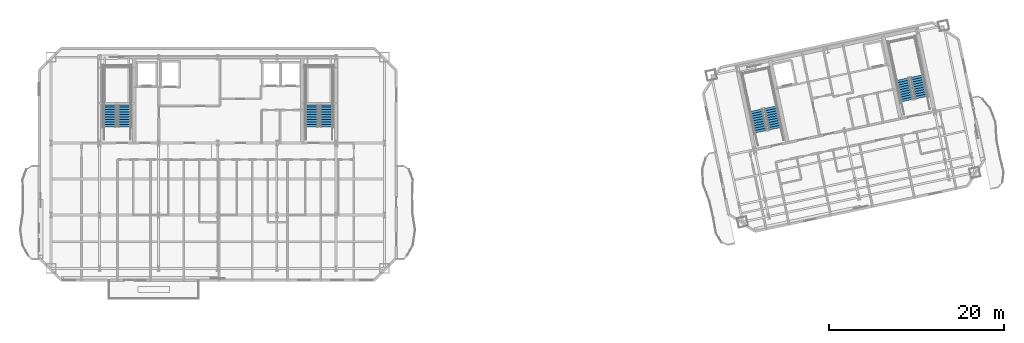
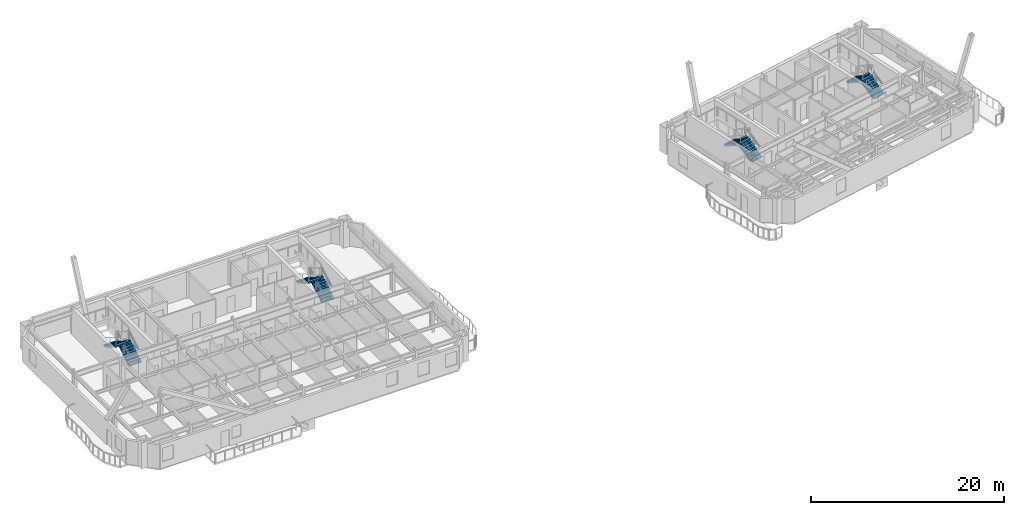
# One storey, part 10 of 14: 8 stair flights, 4 elements without a shape of their own.
"""IFC4 building model written with IfcOpenShell, lengths in metres."""

from ifc_helpers import new_model, si_unit, direction, frame, origin, place, context, subcontext, project, spatial, polyline, outline, extrude, material, type_object, element, aggregate, save


model = new_model("IFC4")

# Units and contexts
model_context = context("Model", 3, precision=1e-05, world=origin(), true_north=direction((0.0, 1.0)))
body_context = subcontext(model_context, "Body", "Model", "MODEL_VIEW")
ifc_project = project(units=[si_unit("LENGTHUNIT", "METRE"), si_unit("AREAUNIT", "SQUARE_METRE"), si_unit("VOLUMEUNIT", "CUBIC_METRE"), si_unit("PLANEANGLEUNIT", "RADIAN"), si_unit("MASSUNIT", "GRAM", prefix="KILO")], contexts=[model_context])

# Site, building, storey
site_placement = place(None, origin())
site = spatial("IfcSite", under=ifc_project, at=site_placement, CompositionType="ELEMENT")
building_placement = place(site_placement, origin())
building = spatial("IfcBuilding", under=site, at=building_placement, Name="Haevon Station Towers", CompositionType="ELEMENT")
storey_placement = place(building_placement, frame((0.0, 0.0, 208.800048828125)))
storey = spatial("IfcBuildingStorey", under=building, at=storey_placement, Name="L57", CompositionType="ELEMENT", Elevation=208.800048828125)

# Stair, stair flights
ifc_material = material(Name="Concrete C40/50", Category="concrete")
stair_type = type_object("IfcStairType", Name="STR-DL1450", PredefinedType="USERDEFINED", material=ifc_material)
stair_1_placement = place(storey_placement, origin())
stair_1 = element("IfcStair", 1, at=stair_1_placement, inside=storey, type_object=stair_type, Name="L57 Escape Stair ST1", ObjectType="TWO_RETURN_STAIR", PredefinedType="USERDEFINED")
stair_flight_type = type_object("IfcStairFlightType", Name="STF-ST1450", PredefinedType="STRAIGHT", material=ifc_material)
stair_flight_1_placement = place(storey_placement, frame((26.85498046875, 40.050048828125, 0.0), z_axis=(0.0, 0.0, 1.0), x_axis=(0.0, 1.0, 0.0)))
stair_flight_1 = element("IfcStairFlight", 2, at=stair_flight_1_placement, type_object=stair_flight_type, Name="L57 ST1 Flight 1", NumberOfRisers=10, NumberOfTreads=9, PredefinedType="STRAIGHT", RiserHeight=0.165, TreadLength=0.28, context=body_context, shape_type="SweptSolid", body=[
    extrude(outline(polyline([(0.0, 0.0), (0.0, 0.1650390625), (0.280029296875, 0.1650390625), (0.280029296875, 0.330078125), (0.56005859375, 0.330078125), (0.56005859375, 0.4951171875), (0.840087890625, 0.4951171875), (0.840087890625, 0.659912109375), (1.1201171875, 0.659912109375), (1.1201171875, 0.824951171875), (1.39990234375, 0.824951171875), (1.39990234375, 0.989990234375), (1.679931640625, 0.989990234375), (1.679931640625, 1.155029296875), (1.9599609375, 1.155029296875), (1.9599609375, 1.320068359375), (2.239990234375, 1.320068359375), (2.239990234375, 1.485107421875), (2.52001953125, 1.485107421875), (2.52001953125, 1.64990234375), (2.52001953125, 1.29931640625), (0.31494140625, 0.0), (0.0, 0.0)])), frame((0.0, 0.72509765625, 0.0), z_axis=(0.0, -1.0, 0.0), x_axis=(1.0, 0.0, 0.0)), (0.0, 0.0, 1.0), 1.449951171875),
])
stair_flight_2_placement = place(storey_placement, frame((25.205078125, 42.570068359375, 1.64990234375), z_axis=(0.0, 0.0, 1.0), x_axis=(0.0, -1.0, 0.0)))
stair_flight_2 = element("IfcStairFlight", 3, at=stair_flight_2_placement, type_object=stair_flight_type, Name="L57 ST1 Flight 2", NumberOfRisers=10, NumberOfTreads=9, PredefinedType="STRAIGHT", RiserHeight=0.165, TreadLength=0.28, context=body_context, shape_type="SweptSolid", body=[
    extrude(outline(polyline([(0.0, 0.0), (0.0, 0.1650390625), (0.280029296875, 0.1650390625), (0.280029296875, 0.330078125), (0.56005859375, 0.330078125), (0.56005859375, 0.4951171875), (0.840087890625, 0.4951171875), (0.840087890625, 0.659912109375), (1.1201171875, 0.659912109375), (1.1201171875, 0.824951171875), (1.39990234375, 0.824951171875), (1.39990234375, 0.989990234375), (1.679931640625, 0.989990234375), (1.679931640625, 1.155029296875), (1.9599609375, 1.155029296875), (1.9599609375, 1.320068359375), (2.239990234375, 1.320068359375), (2.239990234375, 1.485107421875), (2.52001953125, 1.485107421875), (2.52001953125, 1.64990234375), (2.52001953125, 1.29931640625), (0.31494140625, 0.0), (0.0, 0.0)])), frame((0.0, 0.72509765625, 0.0), z_axis=(0.0, -1.0, 0.0), x_axis=(1.0, 0.0, 0.0)), (0.0, 0.0, 1.0), 1.449951171875),
])
aggregate(stair_1, [stair_flight_1, stair_flight_2])

stair_2_placement = place(storey_placement, origin())
stair_2 = element("IfcStair", 4, at=stair_2_placement, inside=storey, type_object=stair_type, Name="L57 Escape Stair ST2", ObjectType="TWO_RETURN_STAIR", PredefinedType="USERDEFINED")
stair_flight_3_placement = place(storey_placement, frame((49.89501953125, 40.050048828125, 0.0), z_axis=(0.0, 0.0, 1.0), x_axis=(0.0, 1.0, 0.0)))
stair_flight_3 = element("IfcStairFlight", 5, at=stair_flight_3_placement, type_object=stair_flight_type, Name="L57 ST2 Flight 1", NumberOfRisers=10, NumberOfTreads=9, PredefinedType="STRAIGHT", RiserHeight=0.165, TreadLength=0.28, context=body_context, shape_type="SweptSolid", body=[
    extrude(outline(polyline([(0.0, 0.0), (0.0, 0.1650390625), (0.280029296875, 0.1650390625), (0.280029296875, 0.330078125), (0.56005859375, 0.330078125), (0.56005859375, 0.4951171875), (0.840087890625, 0.4951171875), (0.840087890625, 0.659912109375), (1.1201171875, 0.659912109375), (1.1201171875, 0.824951171875), (1.39990234375, 0.824951171875), (1.39990234375, 0.989990234375), (1.679931640625, 0.989990234375), (1.679931640625, 1.155029296875), (1.9599609375, 1.155029296875), (1.9599609375, 1.320068359375), (2.239990234375, 1.320068359375), (2.239990234375, 1.485107421875), (2.52001953125, 1.485107421875), (2.52001953125, 1.64990234375), (2.52001953125, 1.29931640625), (0.31494140625, 0.0), (0.0, 0.0)])), frame((0.0, 0.72509765625, 0.0), z_axis=(0.0, -1.0, 0.0), x_axis=(1.0, 0.0, 0.0)), (0.0, 0.0, 1.0), 1.449951171875),
])
stair_flight_4_placement = place(storey_placement, frame((48.2451171875, 42.570068359375, 1.64990234375), z_axis=(0.0, 0.0, 1.0), x_axis=(0.0, -1.0, 0.0)))
stair_flight_4 = element("IfcStairFlight", 6, at=stair_flight_4_placement, type_object=stair_flight_type, Name="L57 ST2 Flight 2", NumberOfRisers=10, NumberOfTreads=9, PredefinedType="STRAIGHT", RiserHeight=0.165, TreadLength=0.28, context=body_context, shape_type="SweptSolid", body=[
    extrude(outline(polyline([(0.0, 0.0), (0.0, 0.1650390625), (0.280029296875, 0.1650390625), (0.280029296875, 0.330078125), (0.56005859375, 0.330078125), (0.56005859375, 0.4951171875), (0.840087890625, 0.4951171875), (0.840087890625, 0.659912109375), (1.1201171875, 0.659912109375), (1.1201171875, 0.824951171875), (1.39990234375, 0.824951171875), (1.39990234375, 0.989990234375), (1.679931640625, 0.989990234375), (1.679931640625, 1.155029296875), (1.9599609375, 1.155029296875), (1.9599609375, 1.320068359375), (2.239990234375, 1.320068359375), (2.239990234375, 1.485107421875), (2.52001953125, 1.485107421875), (2.52001953125, 1.64990234375), (2.52001953125, 1.29931640625), (0.31494140625, 0.0), (0.0, 0.0)])), frame((0.0, 0.72509765625, 0.0), z_axis=(0.0, -1.0, 0.0), x_axis=(1.0, 0.0, 0.0)), (0.0, 0.0, 1.0), 1.449951171875),
])
aggregate(stair_2, [stair_flight_3, stair_flight_4])

stair_3_placement = place(storey_placement, origin())
stair_3 = element("IfcStair", 7, at=stair_3_placement, inside=storey, type_object=stair_type, Name="L57 Escape Stair ST3", ObjectType="TWO_RETURN_STAIR", PredefinedType="USERDEFINED")
stair_flight_5_placement = place(storey_placement, frame((101.1015625, 39.8330078125, 0.0), z_axis=(0.0, 0.0, 1.0), x_axis=(-0.207911690818, 0.978147600734, 0.0)))
stair_flight_5 = element("IfcStairFlight", 8, at=stair_flight_5_placement, type_object=stair_flight_type, Name="L57 ST3 Flight 1", NumberOfRisers=10, NumberOfTreads=9, PredefinedType="STRAIGHT", RiserHeight=0.165, TreadLength=0.28, context=body_context, shape_type="SweptSolid", body=[
    extrude(outline(polyline([(0.0, 0.0), (0.0, 0.1650390625), (0.280029296875, 0.1650390625), (0.280029296875, 0.330078125), (0.56005859375, 0.330078125), (0.56005859375, 0.4951171875), (0.840087890625, 0.4951171875), (0.840087890625, 0.659912109375), (1.1201171875, 0.659912109375), (1.1201171875, 0.824951171875), (1.39990234375, 0.824951171875), (1.39990234375, 0.989990234375), (1.679931640625, 0.989990234375), (1.679931640625, 1.155029296875), (1.9599609375, 1.155029296875), (1.9599609375, 1.320068359375), (2.239990234375, 1.320068359375), (2.239990234375, 1.485107421875), (2.52001953125, 1.485107421875), (2.52001953125, 1.64990234375), (2.52001953125, 1.29931640625), (0.31494140625, 0.0), (0.0, 0.0)])), frame((0.0, 0.72509765625, 0.0), z_axis=(0.0, -1.0, 0.0), x_axis=(1.0, 0.0, 0.0)), (0.0, 0.0, 1.0), 1.449951171875),
])
stair_flight_6_placement = place(storey_placement, frame((98.9638671875, 41.955078125, 1.64990234375), z_axis=(0.0, 0.0, 1.0), x_axis=(0.207911690818, -0.978147600734, 0.0)))
stair_flight_6 = element("IfcStairFlight", 9, at=stair_flight_6_placement, type_object=stair_flight_type, Name="L57 ST3 Flight 2", NumberOfRisers=10, NumberOfTreads=9, PredefinedType="STRAIGHT", RiserHeight=0.165, TreadLength=0.28, context=body_context, shape_type="SweptSolid", body=[
    extrude(outline(polyline([(0.0, 0.0), (0.0, 0.1650390625), (0.280029296875, 0.1650390625), (0.280029296875, 0.330078125), (0.56005859375, 0.330078125), (0.56005859375, 0.4951171875), (0.840087890625, 0.4951171875), (0.840087890625, 0.659912109375), (1.1201171875, 0.659912109375), (1.1201171875, 0.824951171875), (1.39990234375, 0.824951171875), (1.39990234375, 0.989990234375), (1.679931640625, 0.989990234375), (1.679931640625, 1.155029296875), (1.9599609375, 1.155029296875), (1.9599609375, 1.320068359375), (2.239990234375, 1.320068359375), (2.239990234375, 1.485107421875), (2.52001953125, 1.485107421875), (2.52001953125, 1.64990234375), (2.52001953125, 1.29931640625), (0.31494140625, 0.0), (0.0, 0.0)])), frame((0.0, 0.72509765625, 0.0), z_axis=(0.0, -1.0, 0.0), x_axis=(1.0, 0.0, 0.0)), (0.0, 0.0, 1.0), 1.449951171875),
])
aggregate(stair_3, [stair_flight_5, stair_flight_6])

stair_4_placement = place(storey_placement, origin())
stair_4 = element("IfcStair", 10, at=stair_4_placement, inside=storey, type_object=stair_type, Name="L57 Escape Stair ST4", ObjectType="TWO_RETURN_STAIR", PredefinedType="USERDEFINED")
stair_flight_7_placement = place(storey_placement, frame((117.788818359375, 43.380126953125, 0.0), z_axis=(0.0, 0.0, 1.0), x_axis=(-0.207911690818, 0.978147600734, 0.0)))
stair_flight_7 = element("IfcStairFlight", 11, at=stair_flight_7_placement, type_object=stair_flight_type, Name="L57 ST4 Flight 1", NumberOfRisers=10, NumberOfTreads=9, PredefinedType="STRAIGHT", RiserHeight=0.165, TreadLength=0.28, context=body_context, shape_type="SweptSolid", body=[
    extrude(outline(polyline([(0.0, 0.0), (0.0, 0.1650390625), (0.280029296875, 0.1650390625), (0.280029296875, 0.330078125), (0.56005859375, 0.330078125), (0.56005859375, 0.4951171875), (0.840087890625, 0.4951171875), (0.840087890625, 0.659912109375), (1.1201171875, 0.659912109375), (1.1201171875, 0.824951171875), (1.39990234375, 0.824951171875), (1.39990234375, 0.989990234375), (1.679931640625, 0.989990234375), (1.679931640625, 1.155029296875), (1.9599609375, 1.155029296875), (1.9599609375, 1.320068359375), (2.239990234375, 1.320068359375), (2.239990234375, 1.485107421875), (2.52001953125, 1.485107421875), (2.52001953125, 1.64990234375), (2.52001953125, 1.29931640625), (0.31494140625, 0.0), (0.0, 0.0)])), frame((0.0, 0.72509765625, 0.0), z_axis=(0.0, -1.0, 0.0), x_axis=(1.0, 0.0, 0.0)), (0.0, 0.0, 1.0), 1.449951171875),
])
stair_flight_8_placement = place(storey_placement, frame((115.65087890625, 45.501953125, 1.64990234375), z_axis=(0.0, 0.0, 1.0), x_axis=(0.207911690818, -0.978147600734, 0.0)))
stair_flight_8 = element("IfcStairFlight", 12, at=stair_flight_8_placement, type_object=stair_flight_type, Name="L57 ST4 Flight 2", NumberOfRisers=10, NumberOfTreads=9, PredefinedType="STRAIGHT", RiserHeight=0.165, TreadLength=0.28, context=body_context, shape_type="SweptSolid", body=[
    extrude(outline(polyline([(0.0, 0.0), (0.0, 0.1650390625), (0.280029296875, 0.1650390625), (0.280029296875, 0.330078125), (0.56005859375, 0.330078125), (0.56005859375, 0.4951171875), (0.840087890625, 0.4951171875), (0.840087890625, 0.659912109375), (1.1201171875, 0.659912109375), (1.1201171875, 0.824951171875), (1.39990234375, 0.824951171875), (1.39990234375, 0.989990234375), (1.679931640625, 0.989990234375), (1.679931640625, 1.155029296875), (1.9599609375, 1.155029296875), (1.9599609375, 1.320068359375), (2.239990234375, 1.320068359375), (2.239990234375, 1.485107421875), (2.52001953125, 1.485107421875), (2.52001953125, 1.64990234375), (2.52001953125, 1.29931640625), (0.31494140625, 0.0), (0.0, 0.0)])), frame((0.0, 0.72509765625, 0.0), z_axis=(0.0, -1.0, 0.0), x_axis=(1.0, 0.0, 0.0)), (0.0, 0.0, 1.0), 1.449951171875),
])
aggregate(stair_4, [stair_flight_7, stair_flight_8])

save(model, "model.ifc")
